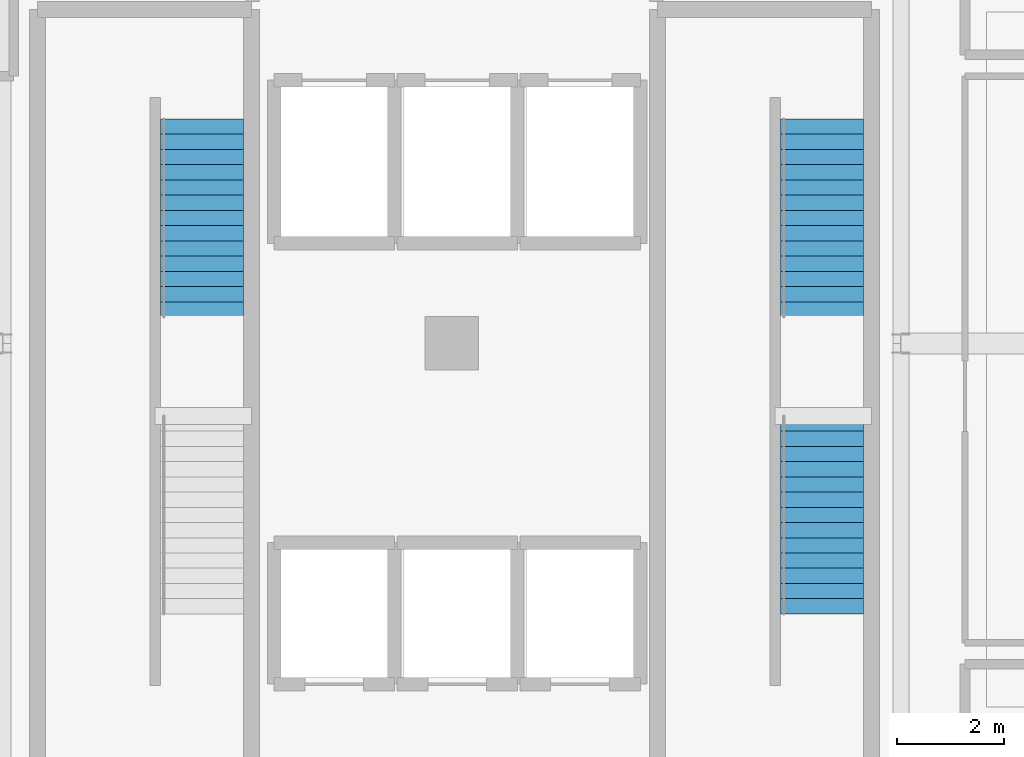
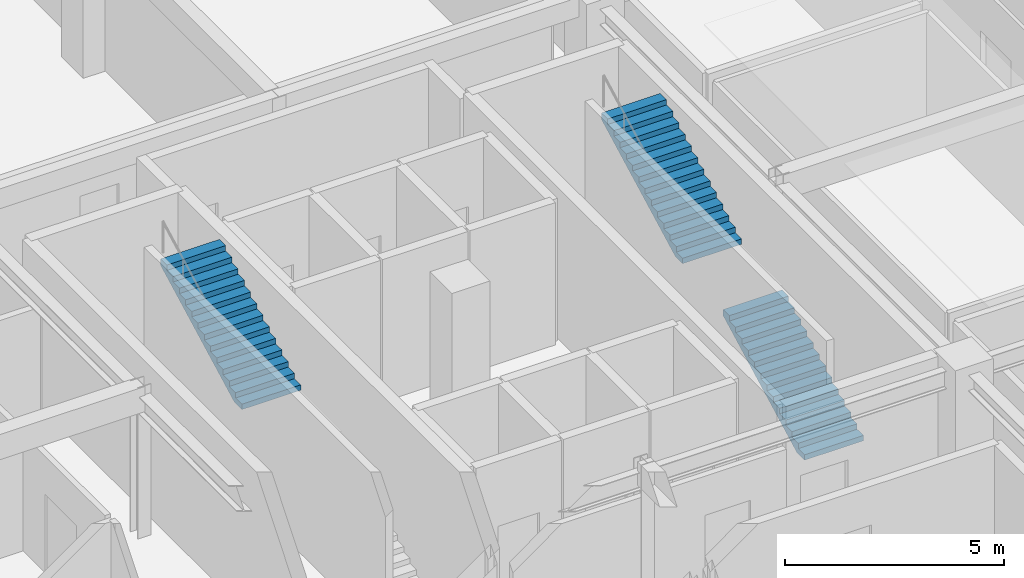
# One storey, part 19 of 21: 3 stair flights, 2 elements without a shape of their own.
"""IFC4 building model written with IfcOpenShell, lengths in metres."""

from ifc_helpers import new_model, si_unit, direction, frame, origin, place, context, subcontext, project, spatial, polyline, outline, extrude, material, layer, layer_set, type_object, element, aggregate, save


model = new_model("IFC4")

# Units and contexts
model_context = context("Model", 3, precision=1e-05, world=origin(), true_north=direction((0.0, 1.0)))
body_context = subcontext(model_context, "Body", "Model", "MODEL_VIEW")
ifc_project = project(units=[si_unit("LENGTHUNIT", "METRE"), si_unit("AREAUNIT", "SQUARE_METRE"), si_unit("VOLUMEUNIT", "CUBIC_METRE"), si_unit("PLANEANGLEUNIT", "RADIAN"), si_unit("MASSUNIT", "GRAM", prefix="KILO")], contexts=[model_context])

# Site, building, storey
site_placement = place(None, origin())
site = spatial("IfcSite", under=ifc_project, at=site_placement, CompositionType="ELEMENT")
building_placement = place(site_placement, origin())
building = spatial("IfcBuilding", under=site, at=building_placement, Name="Xuanlan Plaza Opera House", CompositionType="ELEMENT")
storey_placement = place(building_placement, frame((0.0, 0.0, 44.699951171875)))
storey = spatial("IfcBuildingStorey", under=building, at=storey_placement, Name="L10", CompositionType="ELEMENT", Elevation=44.699951171875)

# Stair, stair flight
ifc_material = material(Name="Concrete C40", Category="concrete")
stair_type = type_object("IfcStairType", Name="INT-ST-STR-T155", PredefinedType="STRAIGHT_RUN_STAIR", material=ifc_material)
stair_1_placement = place(storey_placement, origin())
stair_1 = element("IfcStair", 1, at=stair_1_placement, inside=storey, type_object=stair_type, Name="Protected Exit Stair ST-T1 L10", PredefinedType="STRAIGHT_RUN_STAIR")
ifc_layer = layer(ifc_material, 0.159912109375)
ifc_layer_set = layer_set([ifc_layer], Name="Concrete C40")
stair_flight_type = type_object("IfcStairFlightType", Name="INT-FL-FL-155", PredefinedType="STRAIGHT", material=ifc_layer_set)
stair_flight_1_placement = place(storey_placement, frame((138.125, 59.294921875, 2.10009765625), z_axis=(0.0, 0.0, 1.0), x_axis=(0.0, 1.0, 0.0)))
stair_flight_1 = element("IfcStairFlight", 2, at=stair_flight_1_placement, type_object=stair_flight_type, Name="ST-T1-L10 flight 2", NumberOfRisers=14, NumberOfTreads=13, PredefinedType="STRAIGHT", RiserHeight=0.15, TreadLength=0.285, context=body_context, shape_type="SweptSolid", body=[
    extrude(outline(polyline([(0.0, 0.0), (0.0, 0.14990234375), (0.284912109375, 0.14990234375), (0.284912109375, 0.300048828125), (0.570068359375, 0.300048828125), (0.570068359375, 0.449951171875), (0.85498046875, 0.449951171875), (0.85498046875, 0.60009765625), (1.139892578125, 0.60009765625), (1.139892578125, 0.75), (1.425048828125, 0.75), (1.425048828125, 0.89990234375), (1.7099609375, 0.89990234375), (1.7099609375, 1.050048828125), (1.9951171875, 1.050048828125), (1.9951171875, 1.199951171875), (2.280029296875, 1.199951171875), (2.280029296875, 1.35009765625), (2.56494140625, 1.35009765625), (2.56494140625, 1.5), (2.85009765625, 1.5), (2.85009765625, 1.64990234375), (3.135009765625, 1.64990234375), (3.135009765625, 1.800048828125), (3.419921875, 1.800048828125), (3.419921875, 1.949951171875), (3.705078125, 1.949951171875), (3.705078125, 2.10009765625), (3.705078125, 1.769287109375), (0.34326171875, 0.0), (0.0, 0.0)])), frame((0.0, 0.77490234375, 0.0), z_axis=(0.0, -1.0, 0.0), x_axis=(1.0, 0.0, 0.0)), (0.0, 0.0, 1.0), 1.550048828125),
])
aggregate(stair_1, [stair_flight_1])

# Stair, stair flights
stair_2_placement = place(storey_placement, origin())
stair_2 = element("IfcStair", 3, at=stair_2_placement, inside=storey, type_object=stair_type, Name="Protected Exit Stair ST-T2 L10", PredefinedType="STRAIGHT_RUN_STAIR")
stair_flight_2_placement = place(storey_placement, frame((149.72509765625, 53.739990234375, 0.0), z_axis=(0.0, 0.0, 1.0), x_axis=(0.0, 1.0, 0.0)))
stair_flight_2 = element("IfcStairFlight", 4, at=stair_flight_2_placement, type_object=stair_flight_type, Name="ST-T2-L10 flight 1", NumberOfRisers=14, NumberOfTreads=13, PredefinedType="STRAIGHT", RiserHeight=0.15, TreadLength=0.285, context=body_context, shape_type="SweptSolid", body=[
    extrude(outline(polyline([(0.0, 0.0), (0.0, 0.14990234375), (0.284912109375, 0.14990234375), (0.284912109375, 0.300048828125), (0.570068359375, 0.300048828125), (0.570068359375, 0.449951171875), (0.85498046875, 0.449951171875), (0.85498046875, 0.60009765625), (1.139892578125, 0.60009765625), (1.139892578125, 0.75), (1.425048828125, 0.75), (1.425048828125, 0.89990234375), (1.7099609375, 0.89990234375), (1.7099609375, 1.050048828125), (1.9951171875, 1.050048828125), (1.9951171875, 1.199951171875), (2.280029296875, 1.199951171875), (2.280029296875, 1.35009765625), (2.56494140625, 1.35009765625), (2.56494140625, 1.5), (2.85009765625, 1.5), (2.85009765625, 1.64990234375), (3.135009765625, 1.64990234375), (3.135009765625, 1.800048828125), (3.419921875, 1.800048828125), (3.419921875, 1.949951171875), (3.705078125, 1.949951171875), (3.705078125, 2.10009765625), (3.705078125, 1.769287109375), (0.34326171875, 0.0), (0.0, 0.0)])), frame((0.0, 0.77490234375, 0.0), z_axis=(0.0, -1.0, 0.0), x_axis=(1.0, 0.0, 0.0)), (0.0, 0.0, 1.0), 1.550048828125),
])
stair_flight_3_placement = place(storey_placement, frame((149.72509765625, 59.294921875, 2.10009765625), z_axis=(0.0, 0.0, 1.0), x_axis=(0.0, 1.0, 0.0)))
stair_flight_3 = element("IfcStairFlight", 5, at=stair_flight_3_placement, type_object=stair_flight_type, Name="ST-T2-L10 flight 2", NumberOfRisers=14, NumberOfTreads=13, PredefinedType="STRAIGHT", RiserHeight=0.15, TreadLength=0.285, context=body_context, shape_type="SweptSolid", body=[
    extrude(outline(polyline([(0.0, 0.0), (0.0, 0.14990234375), (0.284912109375, 0.14990234375), (0.284912109375, 0.300048828125), (0.570068359375, 0.300048828125), (0.570068359375, 0.449951171875), (0.85498046875, 0.449951171875), (0.85498046875, 0.60009765625), (1.139892578125, 0.60009765625), (1.139892578125, 0.75), (1.425048828125, 0.75), (1.425048828125, 0.89990234375), (1.7099609375, 0.89990234375), (1.7099609375, 1.050048828125), (1.9951171875, 1.050048828125), (1.9951171875, 1.199951171875), (2.280029296875, 1.199951171875), (2.280029296875, 1.35009765625), (2.56494140625, 1.35009765625), (2.56494140625, 1.5), (2.85009765625, 1.5), (2.85009765625, 1.64990234375), (3.135009765625, 1.64990234375), (3.135009765625, 1.800048828125), (3.419921875, 1.800048828125), (3.419921875, 1.949951171875), (3.705078125, 1.949951171875), (3.705078125, 2.10009765625), (3.705078125, 1.769287109375), (0.34326171875, 0.0), (0.0, 0.0)])), frame((0.0, 0.77490234375, 0.0), z_axis=(0.0, -1.0, 0.0), x_axis=(1.0, 0.0, 0.0)), (0.0, 0.0, 1.0), 1.550048828125),
])
aggregate(stair_2, [stair_flight_2, stair_flight_3])

save(model, "model.ifc")
